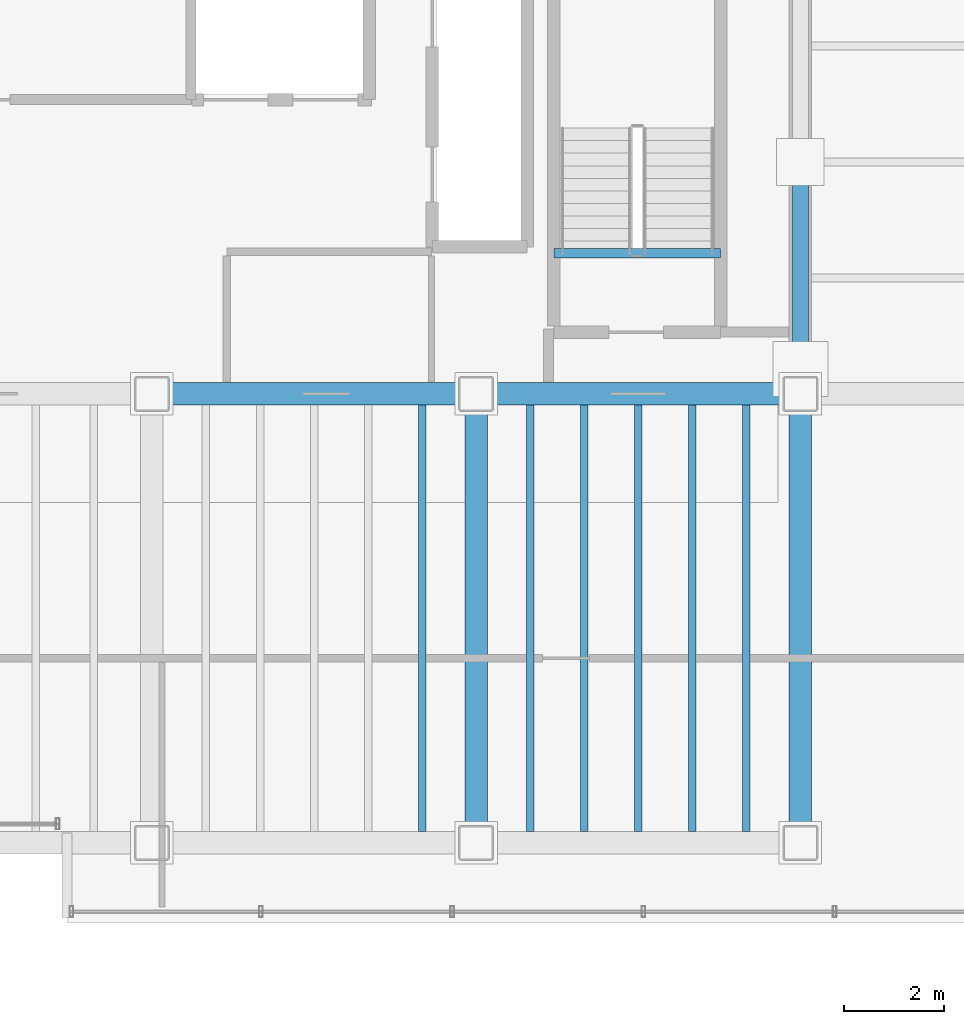
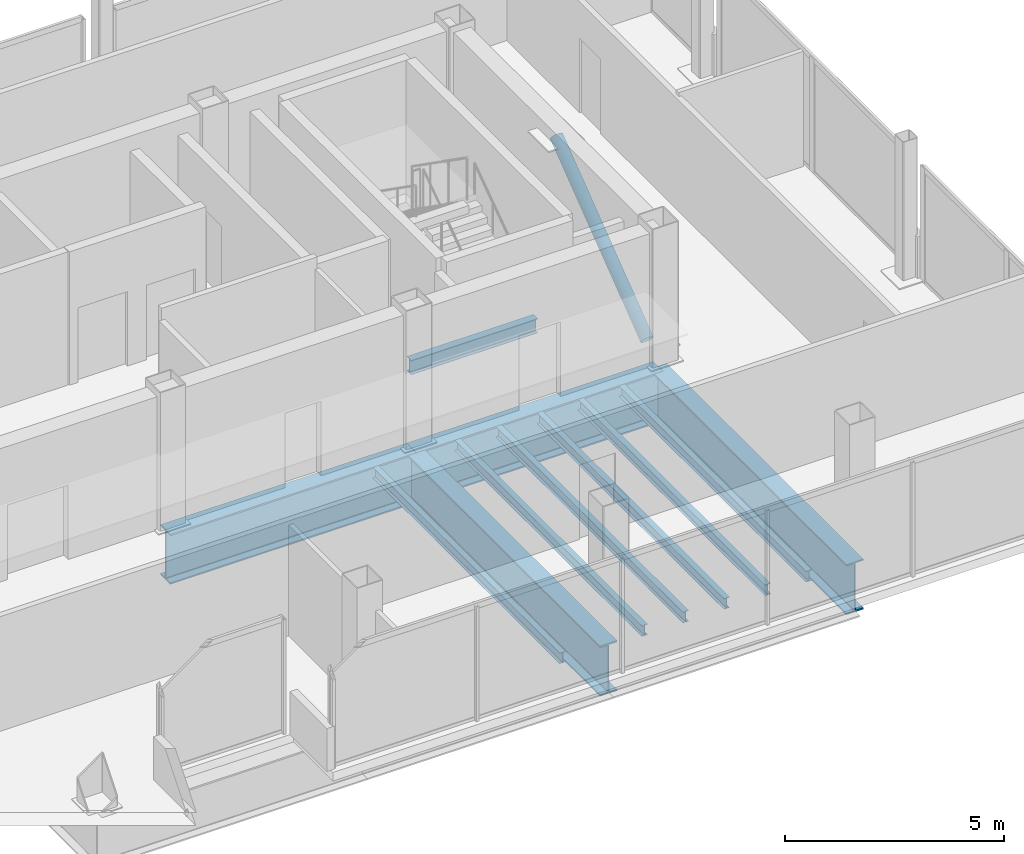
# One storey, part 8 of 17: 11 beams, 1 member.
"""IFC4 building model written with IfcOpenShell, lengths in metres."""

import ifcopenshell
import ifcopenshell.guid

model = None  # the IFC model being written
_history = None  # IfcOwnerHistory: only IFC2X3 demands one
_inside = {}  # id of a spatial element -> (the spatial element, [elements in it])
_under = {}  # id of a project, library or spatial element -> (it, [spatial elements below it])
_declared = {}  # id of a project -> (the project, [libraries it declares])
_typed = {}  # id of a type object -> (the type object, [elements of that type])
_made_of = {}  # id of a material, layer set ... -> (it, [elements and type objects made of it])


def new_model(schema):
    """Start an empty IFC model of exactly this schema.

    Asked for "IFC4X3", IfcOpenShell would pick the latest addendum, in which some entities
    have other attributes; the version numbers below select the first issue.
    IFC2X3 requires an IfcOwnerHistory on every rooted entity: one is made here for all.
    """
    global model, _history
    if schema == "IFC4X3":
        model = ifcopenshell.file(schema_version=(4, 3, 0, 0))
    else:
        model = ifcopenshell.file(schema=schema)
    _inside.clear()
    _under.clear()
    _declared.clear()
    _typed.clear()
    _made_of.clear()
    _history = None
    if model.schema == "IFC2X3":
        org = make("IfcOrganization", Name="unknown")
        user = make(
            "IfcPersonAndOrganization",
            ThePerson=make("IfcPerson", FamilyName="unknown"),
            TheOrganization=org,
        )
        app = make(
            "IfcApplication",
            ApplicationDeveloper=org,
            Version="unknown",
            ApplicationFullName="unknown",
            ApplicationIdentifier="unknown",
        )
        _history = make(
            "IfcOwnerHistory",
            OwningUser=user,
            OwningApplication=app,
            ChangeAction="ADDED",
            CreationDate=0,
        )
    return model


def make(cls, **values):
    """One entity of the class cls with the attributes given. An attribute that is None is left unset."""
    return model.create_entity(
        cls, **{name: value for name, value in values.items() if value is not None}
    )


def rooted(cls, **values):
    """An entity with a GlobalId (a new one), such as an element, a storey or a relation."""
    return make(cls, GlobalId=ifcopenshell.guid.new(), OwnerHistory=_history, **values)


def si_unit(unit_type, name, prefix=None):
    """IfcSIUnit, for example si_unit("LENGTHUNIT", "METRE", prefix="MILLI")."""
    return make("IfcSIUnit", UnitType=unit_type, Prefix=prefix, Name=name)


def assignment(units):
    """IfcUnitAssignment: the units of a project."""
    return None if units is None else make("IfcUnitAssignment", Units=units)


def point(xyz):
    """IfcCartesianPoint."""
    return None if xyz is None else make("IfcCartesianPoint", Coordinates=xyz)


def direction(xyz):
    """IfcDirection."""
    return None if xyz is None else make("IfcDirection", DirectionRatios=xyz)


def frame(location, z_axis=None, x_axis=None):
    """IfcAxis2Placement3D, a coordinate frame: its origin and axes. An axis left out is left unset."""
    return make(
        "IfcAxis2Placement3D",
        Location=point(location),
        Axis=direction(z_axis),
        RefDirection=direction(x_axis),
    )


def frame_2d(location, x_axis=None):
    """IfcAxis2Placement2D, a coordinate frame in the plane: its origin and x axis."""
    return make(
        "IfcAxis2Placement2D", Location=point(location), RefDirection=direction(x_axis)
    )


def origin():
    """The frame at (0, 0, 0) with its axes left unset."""
    return frame((0.0, 0.0, 0.0))


def origin_2d():
    """The frame at (0, 0) in the plane with its x axis left unset."""
    return frame_2d((0.0, 0.0))


def place(relative_to, where):
    """IfcLocalPlacement: puts the frame where relative to a parent placement (None: the world)."""
    return make(
        "IfcLocalPlacement", PlacementRelTo=relative_to, RelativePlacement=where
    )


def context(
    kind, dimensions, precision=None, world=None, true_north=None, identifier=None
):
    """IfcGeometricRepresentationContext, for example the 3D "Model" context."""
    return make(
        "IfcGeometricRepresentationContext",
        ContextIdentifier=identifier,
        ContextType=kind,
        CoordinateSpaceDimension=dimensions,
        Precision=precision,
        WorldCoordinateSystem=world,
        TrueNorth=true_north,
    )


def subcontext(parent, identifier, kind, view, scale=None):
    """IfcGeometricRepresentationSubContext, for example "Body" below "Model"."""
    return make(
        "IfcGeometricRepresentationSubContext",
        ContextIdentifier=identifier,
        ContextType=kind,
        ParentContext=parent,
        TargetScale=scale,
        TargetView=view,
    )


def project(units=None, contexts=None):
    """IfcProject with its units and contexts."""
    return rooted(
        "IfcProject",
        Name="project",
        RepresentationContexts=contexts,
        UnitsInContext=assignment(units),
    )


def spatial(cls, under=None, at=None, **own):
    """A site, building, storey or space (cls), placed at a placement, below another one or the project."""
    s = rooted(cls, ObjectPlacement=at, **own)
    if under is not None:
        _under.setdefault(under.id(), (under, []))[1].append(s)
    return s


def profile(cls, at=None, kind="AREA", **sizes):
    """A parametric profile (cls). Its sizes go by their IFC names, for example OverallWidth=200.0."""
    return make(cls, ProfileType=kind, Position=at, **sizes)


def hollow_circle(**sizes):
    """IfcCircleHollowProfileDef."""
    return profile("IfcCircleHollowProfileDef", **sizes)


def i_section(**sizes):
    """IfcIShapeProfileDef."""
    return profile("IfcIShapeProfileDef", **sizes)


def extrude(swept, where, along, depth):
    """IfcExtrudedAreaSolid: the profile swept, set in the frame where, extruded along a direction by depth."""
    return make(
        "IfcExtrudedAreaSolid",
        SweptArea=swept,
        Position=where,
        ExtrudedDirection=direction(along),
        Depth=depth,
    )


def shape(context_of_items, identifier, shape_type, items):
    """IfcShapeRepresentation: the items that make up one representation, for example the "Body"."""
    return make(
        "IfcShapeRepresentation",
        ContextOfItems=context_of_items,
        RepresentationIdentifier=identifier,
        RepresentationType=shape_type,
        Items=items,
    )


def material(Name=None, Category=None):
    """IfcMaterial."""
    return make("IfcMaterial", Name=Name, Category=Category)


def material_profile(
    of_material, cross_section, Name=None, Category=None, Priority=None
):
    """IfcMaterialProfile: a cross section and its material."""
    return make(
        "IfcMaterialProfile",
        Name=Name,
        Material=of_material,
        Profile=cross_section,
        Priority=Priority,
        Category=Category,
    )


def profile_set(profiles, Name=None, composite=None):
    """IfcMaterialProfileSet."""
    return make(
        "IfcMaterialProfileSet",
        Name=Name,
        MaterialProfiles=profiles,
        CompositeProfile=composite,
    )


def made_of(thing, what):
    """Note that an element or type object is made of a material, layer set ...; save() writes the relation."""
    if what is not None:
        _made_of.setdefault(what.id(), (what, []))[1].append(thing)
    return thing


def type_object(cls, material=None, **own):
    """A type object (cls), such as IfcWallType, which elements share."""
    return made_of(rooted(cls, **own), material)


def element(
    cls,
    number,
    at=None,
    inside=None,
    cuts=None,
    type_object=None,
    material=None,
    context=None,
    identifier="Body",
    shape_type=None,
    held_by="IfcProductDefinitionShape",
    body=None,
    shapes=None,
    **own,
):
    """One element of the class cls, such as IfcWall. Its Tag is "e" and its number.

    at: its placement. inside: the storey or other place that contains it. cuts: it is an
    opening in that element (IfcRelVoidsElement). A single representation is given by context,
    identifier, shape_type and body (its items); several are given by shapes. held_by: the class
    of the entity that holds the representations. save() writes the other relations.
    """
    e = rooted(cls, Tag="e%d" % number, ObjectPlacement=at, **own)
    if body is not None:
        shapes = [shape(context, identifier, shape_type, body)]
    if shapes is not None:
        e.Representation = make(held_by, Representations=shapes)
    if inside is not None:
        _inside.setdefault(inside.id(), (inside, []))[1].append(e)
    if cuts is not None:
        rooted(
            "IfcRelVoidsElement", RelatingBuildingElement=cuts, RelatedOpeningElement=e
        )
    if type_object is not None:
        _typed.setdefault(type_object.id(), (type_object, []))[1].append(e)
    return made_of(e, material)


def aggregate(whole, parts):
    """IfcRelAggregates: a whole, such as a stair, and the parts it consists of."""
    return rooted("IfcRelAggregates", RelatingObject=whole, RelatedObjects=parts)


def save(model, path):
    """Write the relations noted so far, then the file.

    IfcRelAggregates (storeys below a building ...), IfcRelContainedInSpatialStructure (elements
    in a storey), IfcRelDefinesByType, IfcRelAssociatesMaterial and IfcRelDeclares: one each for
    every whole, place, type object, material and project.
    """
    for whole, parts in _under.values():
        aggregate(whole, parts)
    for where, things in _inside.values():
        rooted(
            "IfcRelContainedInSpatialStructure",
            RelatedElements=things,
            RelatingStructure=where,
        )
    for kind, things in _typed.values():
        rooted("IfcRelDefinesByType", RelatedObjects=things, RelatingType=kind)
    for what, things in _made_of.values():
        rooted("IfcRelAssociatesMaterial", RelatedObjects=things, RelatingMaterial=what)
    for by, libraries in _declared.values():
        rooted("IfcRelDeclares", RelatingContext=by, RelatedDefinitions=libraries)
    model.write(path)


model = new_model("IFC4")

# Units and contexts
model_context = context("Model", 3, precision=1e-05, world=origin(), true_north=direction((0.0, 1.0)))
body_context = subcontext(model_context, "Body", "Model", "MODEL_VIEW")
ifc_project = project(units=[si_unit("LENGTHUNIT", "METRE"), si_unit("AREAUNIT", "SQUARE_METRE"), si_unit("VOLUMEUNIT", "CUBIC_METRE"), si_unit("PLANEANGLEUNIT", "RADIAN"), si_unit("MASSUNIT", "GRAM", prefix="KILO")], contexts=[model_context])

# Site, building, storey
site_placement = place(None, origin())
site = spatial("IfcSite", under=ifc_project, at=site_placement, CompositionType="ELEMENT")
building_placement = place(site_placement, origin())
building = spatial("IfcBuilding", under=site, at=building_placement, Name="Noeulbin Bourse Tower", CompositionType="ELEMENT")
storey_placement = place(building_placement, frame((0.0, 0.0, 281.300048828125)))
storey = spatial("IfcBuildingStorey", under=building, at=storey_placement, Name="L70", CompositionType="ELEMENT", Elevation=281.300048828125)

# Beams
ifc_material_1 = material(Name="Steel S355", Category="steel")
ifc_material_profile_1 = material_profile(ifc_material_1, i_section(OverallWidth=0.14990234375, OverallDepth=0.300048828125, WebThickness=0.006591796875, FlangeThickness=0.009033203125, FilletRadius=0.012939453125, at=origin_2d()), Name="H-300x150x6.5x9", Category="LoadBearing")
ifc_profile_set_1 = profile_set([ifc_material_profile_1], Name="Steel S355")
beam_type_1 = type_object("IfcBeamType", Name="BM-JST-300", PredefinedType="JOIST", material=ifc_profile_set_1)
for number, where, z_axis, x_axis, name in (
    (1, (36.416748046875, 20.22509765625, -0.39013671875), (0.0, 1.0, 0.0), (-1.0, 0.0, 0.0), "Tower Composite Joist L70-19"),
    (2, (38.583251953125, 20.22509765625, -0.39013671875), (0.0, 1.0, 0.0), (-1.0, 0.0, 0.0), "Tower Composite Joist L70-21"),
    (3, (39.666748046875, 20.22509765625, -0.39013671875), (0.0, 1.0, 0.0), (-1.0, 0.0, 0.0), "Tower Composite Joist L70-23"),
    (4, (40.75, 20.22509765625, -0.39013671875), (0.0, 1.0, 0.0), (-1.0, 0.0, 0.0), "Tower Composite Joist L70-25"),
    (5, (41.833251953125, 20.22509765625, -0.39013671875), (0.0, 1.0, 0.0), (-1.0, 0.0, 0.0), "Tower Composite Joist L70-27"),
    (6, (42.916748046875, 20.22509765625, -0.39013671875), (0.0, 1.0, 0.0), (-1.0, 0.0, 0.0), "Tower Composite Joist L70-29"),
):
    element("IfcBeam", number, at=place(storey_placement, frame(where, z_axis=z_axis, x_axis=x_axis)), inside=storey, type_object=beam_type_1, Name=name, PredefinedType="JOIST", context=body_context, shape_type="SweptSolid", body=[
        extrude(i_section(OverallWidth=0.14990234375, OverallDepth=0.300048828125, WebThickness=0.006591796875, FlangeThickness=0.009033203125, FilletRadius=0.012939453125, at=origin_2d()), origin(), (0.0, 0.0, 1.0), 8.5498046875),
    ])
ifc_material_profile_2 = material_profile(ifc_material_1, i_section(OverallWidth=0.199951171875, OverallDepth=0.39990234375, WebThickness=0.008056640625, FlangeThickness=0.012939453125, FilletRadius=0.01611328125, at=origin_2d()), Name="H-400x200x8x13", Category="LoadBearing")
ifc_profile_set_2 = profile_set([ifc_material_profile_2], Name="Steel S355")
beam_type_2 = type_object("IfcBeamType", Name="BM-SEC-400", PredefinedType="BEAM", material=ifc_profile_set_2)
beam_placement = place(storey_placement, frame((39.06005859375, 31.820068359375, -0.199951171875), z_axis=(1.0, 0.0, 0.0), x_axis=(0.0, 1.0, 0.0)))
element("IfcBeam", 7, at=beam_placement, inside=storey, type_object=beam_type_2, Name="Stair Threshold Trimmer Beam ST2-L70", PredefinedType="BEAM", context=body_context, shape_type="SweptSolid", body=[
    extrude(i_section(OverallWidth=0.199951171875, OverallDepth=0.39990234375, WebThickness=0.008056640625, FlangeThickness=0.012939453125, FilletRadius=0.01611328125, at=origin_2d()), origin(), (0.0, 0.0, 1.0), 3.33984375),
])
ifc_material_2 = material(Name="Steel S460", Category="steel")
ifc_material_profile_3 = material_profile(ifc_material_2, i_section(OverallWidth=0.449951171875, OverallDepth=1.39990234375, WebThickness=0.02392578125, FlangeThickness=0.0400390625, FilletRadius=0.02392578125, at=origin_2d()), Name="PG-1400x450x24x40", Category="LoadBearing")
ifc_profile_set_3 = profile_set([ifc_material_profile_3], Name="Steel S460")
beam_type_3 = type_object("IfcBeamType", Name="BM-TRF-1400", PredefinedType="USERDEFINED", material=ifc_profile_set_3)
for number, where, z_axis, x_axis, name in (
    (8, (31.0, 29.0, -0.93994140625), (1.0, 0.0, 0.0), (0.0, 1.0, 0.0), "Tower Primary Girder EW L70-2.3"),
    (9, (37.5, 29.0, -0.93994140625), (1.0, 0.0, 0.0), (0.0, 1.0, 0.0), "Tower Primary Girder EW L70-2.4"),
):
    element("IfcBeam", number, at=place(storey_placement, frame(where, z_axis=z_axis, x_axis=x_axis)), inside=storey, type_object=beam_type_3, Name=name, ObjectType="GIRDER", PredefinedType="USERDEFINED", context=body_context, shape_type="SweptSolid", body=[
        extrude(i_section(OverallWidth=0.449951171875, OverallDepth=1.39990234375, WebThickness=0.02392578125, FlangeThickness=0.0400390625, FilletRadius=0.02392578125, at=origin_2d()), origin(), (0.0, 0.0, 1.0), 6.5),
    ])
for number, where, z_axis, x_axis, name in (
    (10, (37.5, 20.0, -0.93994140625), (0.0, 1.0, 0.0), (-1.0, 0.0, 0.0), "Tower Primary Girder NS L70-4.1"),
    (11, (44.0, 20.0, -0.93994140625), (0.0, 1.0, 0.0), (-1.0, 0.0, 0.0), "Tower Primary Girder NS L70-5.1"),
):
    element("IfcBeam", number, at=place(storey_placement, frame(where, z_axis=z_axis, x_axis=x_axis)), inside=storey, type_object=beam_type_3, Name=name, ObjectType="GIRDER", PredefinedType="USERDEFINED", context=body_context, shape_type="SweptSolid", body=[
        extrude(i_section(OverallWidth=0.449951171875, OverallDepth=1.39990234375, WebThickness=0.02392578125, FlangeThickness=0.0400390625, FilletRadius=0.02392578125, at=origin_2d()), origin(), (0.0, 0.0, 1.0), 9.0),
    ])

# Member
ifc_material_profile_4 = material_profile(ifc_material_1, hollow_circle(Radius=0.1591796875, WallThickness=0.01025390625, at=origin_2d()), Name="CHS-318.5x10.3", Category="LoadBearing")
ifc_profile_set_4 = profile_set([ifc_material_profile_4], Name="Steel S355")
member_type = type_object("IfcMemberType", Name="MEM-EXO-318", PredefinedType="BRACE", material=ifc_profile_set_4)
member_placement = place(storey_placement, frame((44.0, 29.5, 0.199951171875), z_axis=(0.0, 0.794684163041, 0.607023130541), x_axis=(-1.0, 0.0, 0.0)))
element("IfcMember", 12, at=member_placement, inside=storey, type_object=member_type, Name="Core Flank Chevron Brace XT-L70-E1", PredefinedType="BRACE", context=body_context, shape_type="SweptSolid", body=[
    extrude(hollow_circle(Radius=0.1591796875, WallThickness=0.01025390625, at=origin_2d()), origin(), (0.0, 0.0, 1.0), 5.22216796875),
])

save(model, "model.ifc")
